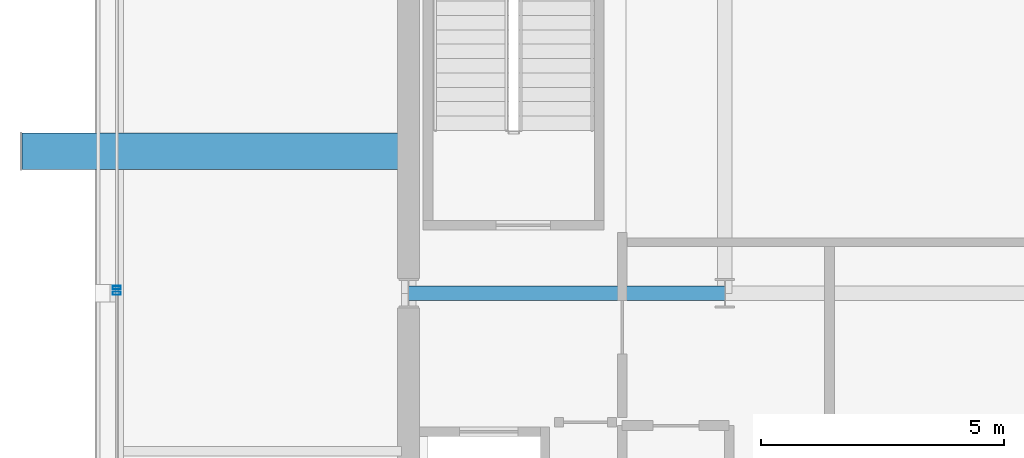
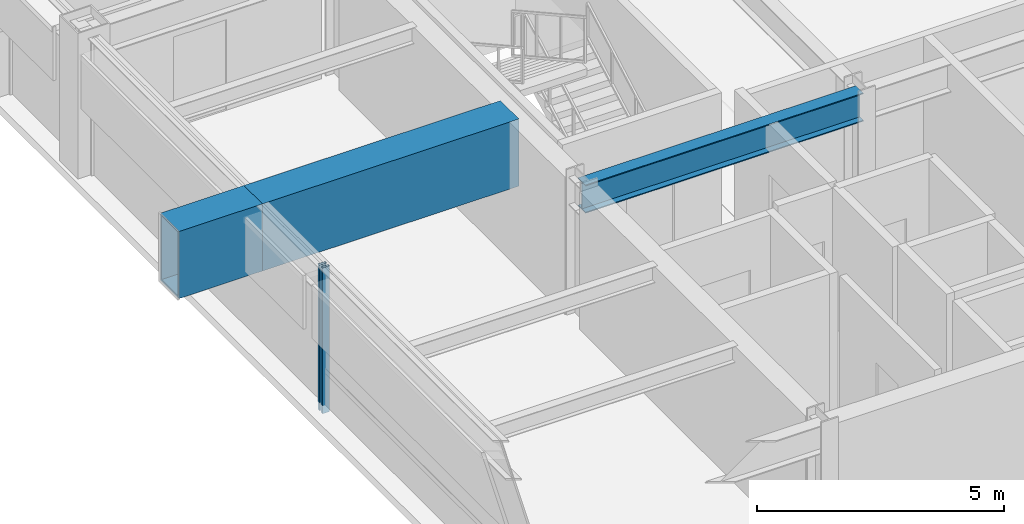
# One storey, part 8 of 28: 3 beams, 2 members, 2 elements without a shape of their own.
"""IFC4 building model written with IfcOpenShell, lengths in metres."""

from ifc_helpers import new_model, si_unit, direction, frame, origin, origin_2d, place, context, subcontext, project, spatial, hollow_rectangle, i_section, extrude, material, layer, layer_set, material_profile, profile_set, type_object, element, aggregate, save


model = new_model("IFC4")

# Units and contexts
model_context = context("Model", 3, precision=1e-05, world=origin(), true_north=direction((0.0, 1.0)))
body_context = subcontext(model_context, "Body", "Model", "MODEL_VIEW")
ifc_project = project(units=[si_unit("LENGTHUNIT", "METRE"), si_unit("AREAUNIT", "SQUARE_METRE"), si_unit("VOLUMEUNIT", "CUBIC_METRE"), si_unit("PLANEANGLEUNIT", "RADIAN"), si_unit("MASSUNIT", "GRAM", prefix="KILO")], contexts=[model_context])

# Site, building, storey
site_placement = place(None, origin())
site = spatial("IfcSite", under=ifc_project, at=site_placement, CompositionType="ELEMENT")
building_placement = place(site_placement, origin())
building = spatial("IfcBuilding", under=site, at=building_placement, Name="Brelmoor Portico Tower", CompositionType="ELEMENT")
storey_placement = place(building_placement, frame((0.0, 0.0, 155.10009765625)))
storey = spatial("IfcBuildingStorey", under=building, at=storey_placement, Name="L40", CompositionType="ELEMENT", Elevation=155.10009765625)

# Beams
ifc_material_1 = material(Name="Steel Q355B", Category="steel")
ifc_material_profile_1 = material_profile(ifc_material_1, hollow_rectangle(XDim=0.75, YDim=1.659912109375, WallThickness=0.0419921875, at=origin_2d()), Name="BOX 750x1660x42")
ifc_profile_set_1 = profile_set([ifc_material_profile_1], Name="Steel Q355B")
beam_type_1 = type_object("IfcBeamType", Name="BM-PF-CANT", PredefinedType="BEAM", material=ifc_profile_set_1)
beam_1_placement = place(storey_placement, frame((-22.5, 2.919921875, 2.56982421875), z_axis=(1.0, 0.0, 0.0), x_axis=(0.0, 1.0, 0.0)))
element("IfcBeam", 1, at=beam_1_placement, inside=storey, type_object=beam_type_1, Name="L40 Picture-Frame Outrigger Transfer Cantilever PFB-05", PredefinedType="BEAM", context=body_context, shape_type="SweptSolid", body=[
    extrude(hollow_rectangle(XDim=0.75, YDim=1.659912109375, WallThickness=0.0419921875, at=origin_2d()), origin(), (0.0, 0.0, 1.0), 1.949951171875),
])
ifc_material_profile_2 = material_profile(ifc_material_1, i_section(OverallWidth=0.300048828125, OverallDepth=0.699951171875, WebThickness=0.012939453125, FlangeThickness=0.02392578125, at=origin_2d()), Name="HN 700x300x13x24")
ifc_profile_set_2 = profile_set([ifc_material_profile_2], Name="Steel Q355B")
beam_type_2 = type_object("IfcBeamType", Name="BM-PG-700", PredefinedType="BEAM", material=ifc_profile_set_2)
beam_2_placement = place(storey_placement, frame((-14.550048828125, 0.0, 3.0498046875), z_axis=(1.0, 0.0, 0.0), x_axis=(0.0, 1.0, 0.0)))
element("IfcBeam", 2, at=beam_2_placement, inside=storey, type_object=beam_type_2, Name="L40 Primary Floor Girder PG-15", PredefinedType="BEAM", context=body_context, shape_type="SweptSolid", body=[
    extrude(i_section(OverallWidth=0.300048828125, OverallDepth=0.699951171875, WebThickness=0.012939453125, FlangeThickness=0.02392578125, at=origin_2d()), origin(), (0.0, 0.0, 1.0), 6.5),
])
ifc_material_profile_3 = material_profile(ifc_material_1, hollow_rectangle(XDim=0.75, YDim=1.659912109375, WallThickness=0.0419921875, at=origin_2d()), Name="BOX 750x1660x42")
ifc_profile_set_3 = profile_set([ifc_material_profile_3], Name="Steel Q355B")
beam_type_3 = type_object("IfcBeamType", Name="BM-TG-Z2", PredefinedType="BEAM", material=ifc_profile_set_3)
beam_3_placement = place(storey_placement, frame((-20.550048828125, 2.919921875, 2.56982421875), z_axis=(1.0, 0.0, 0.0), x_axis=(0.0, 1.0, 0.0)))
element("IfcBeam", 3, at=beam_3_placement, inside=storey, type_object=beam_type_3, Name="L40 Picture-Frame Backspan Transfer Girder PFBS-05", PredefinedType="BEAM", context=body_context, shape_type="SweptSolid", body=[
    extrude(hollow_rectangle(XDim=0.75, YDim=1.659912109375, WallThickness=0.0419921875, at=origin_2d()), origin(), (0.0, 0.0, 1.0), 6.0),
])

# Curtain wall, member
ifc_material_2 = material(Name="Anodised Aluminium Alloy 6063-T6", Category="aluminium")
ifc_layer_1 = layer(ifc_material_2, 0.179931640625)
ifc_layer_set_1 = layer_set([ifc_layer_1], Name="Anodised Aluminium Alloy 6063-T6")
curtain_wall_type_1 = type_object("IfcCurtainWallType", Name="CW-TOWER-Z3", PredefinedType="NOTDEFINED", material=ifc_layer_set_1)
curtain_wall_1_placement = place(storey_placement, origin())
curtain_wall_1 = element("IfcCurtainWall", 4, at=curtain_wall_1_placement, inside=storey, type_object=curtain_wall_type_1, Name="L40 Curtain Wall CW-L40-03-2a", PredefinedType="NOTDEFINED")
ifc_material_profile_4 = material_profile(ifc_material_2, hollow_rectangle(XDim=0.06494140625, YDim=0.1650390625, WallThickness=0.00390625, at=origin_2d()), Name="ALU MULLION 65x165")
ifc_profile_set_4 = profile_set([ifc_material_profile_4], Name="Anodised Aluminium Alloy 6063-T6")
member_type = type_object("IfcMemberType", Name="MB-CW-MULL-165", PredefinedType="MULLION", material=ifc_profile_set_4)
member_1_placement = place(storey_placement, frame((-20.550048828125, 0.0, -0.2001953125), z_axis=(0.0, 0.0, 1.0), x_axis=(0.0, 1.0, 0.0)))
member_1 = element("IfcMember", 5, at=member_1_placement, type_object=member_type, Name="CW-L40-03-2a Mullion 01", PredefinedType="MULLION", context=body_context, shape_type="SweptSolid", body=[
    extrude(hollow_rectangle(XDim=0.06494140625, YDim=0.1650390625, WallThickness=0.00390625, at=origin_2d()), origin(), (0.0, 0.0, 1.0), 3.60009765625),
])
aggregate(curtain_wall_1, [member_1])

ifc_layer_2 = layer(ifc_material_2, 0.179931640625)
ifc_layer_set_2 = layer_set([ifc_layer_2], Name="Anodised Aluminium Alloy 6063-T6")
curtain_wall_type_2 = type_object("IfcCurtainWallType", Name="CW-TOWER-Z3-XB", PredefinedType="NOTDEFINED", material=ifc_layer_set_2)
curtain_wall_2_placement = place(storey_placement, origin())
curtain_wall_2 = element("IfcCurtainWall", 6, at=curtain_wall_2_placement, inside=storey, type_object=curtain_wall_type_2, Name="L40 Curtain Wall CW-L40-03-2b", PredefinedType="NOTDEFINED")
member_2_placement = place(storey_placement, frame((-20.550048828125, 0.1201171875, -0.2001953125), z_axis=(0.0, 0.0, 1.0), x_axis=(0.0, 1.0, 0.0)))
member_2 = element("IfcMember", 7, at=member_2_placement, type_object=member_type, Name="CW-L40-03-2b Mullion 00", PredefinedType="MULLION", context=body_context, shape_type="SweptSolid", body=[
    extrude(hollow_rectangle(XDim=0.06494140625, YDim=0.1650390625, WallThickness=0.00390625, at=origin_2d()), origin(), (0.0, 0.0, 1.0), 3.60009765625),
])
aggregate(curtain_wall_2, [member_2])

save(model, "model.ifc")
